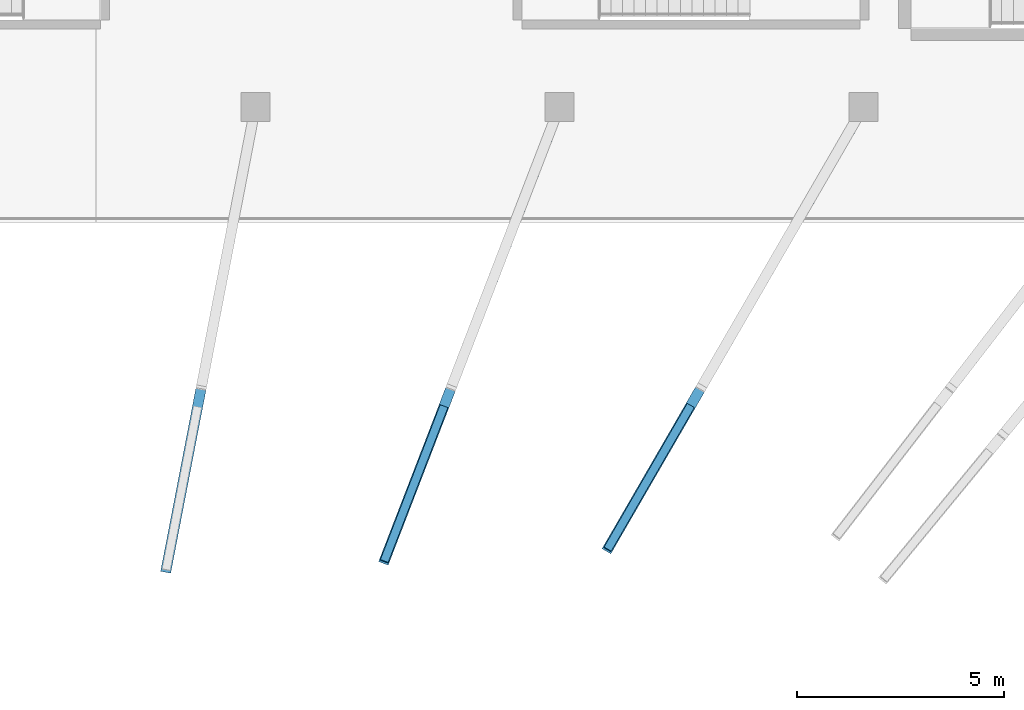
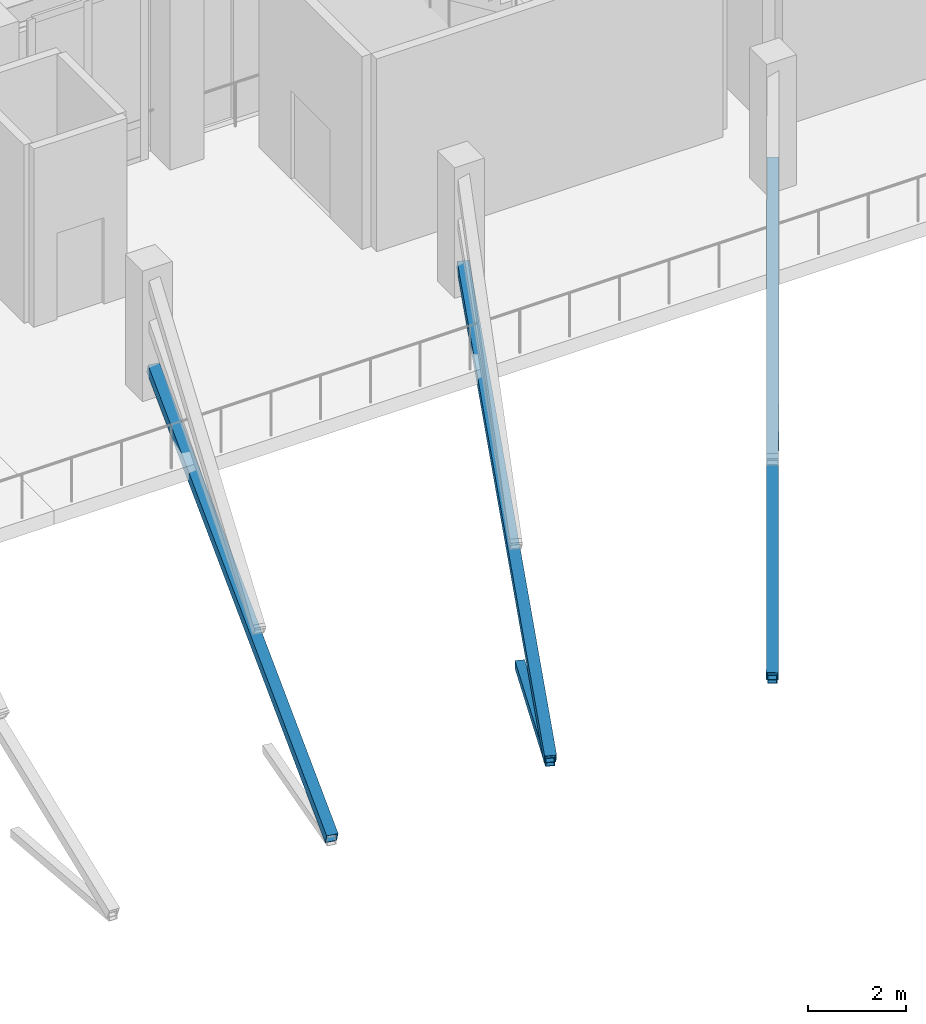
# One storey, part 27 of 79: 5 members.
"""IFC4 building model written with IfcOpenShell, lengths in metres."""

import ifcopenshell
import ifcopenshell.guid

model = None  # the IFC model being written
_history = None  # IfcOwnerHistory: only IFC2X3 demands one
_inside = {}  # id of a spatial element -> (the spatial element, [elements in it])
_under = {}  # id of a project, library or spatial element -> (it, [spatial elements below it])
_declared = {}  # id of a project -> (the project, [libraries it declares])
_typed = {}  # id of a type object -> (the type object, [elements of that type])
_made_of = {}  # id of a material, layer set ... -> (it, [elements and type objects made of it])


def new_model(schema):
    """Start an empty IFC model of exactly this schema.

    Asked for "IFC4X3", IfcOpenShell would pick the latest addendum, in which some entities
    have other attributes; the version numbers below select the first issue.
    IFC2X3 requires an IfcOwnerHistory on every rooted entity: one is made here for all.
    """
    global model, _history
    if schema == "IFC4X3":
        model = ifcopenshell.file(schema_version=(4, 3, 0, 0))
    else:
        model = ifcopenshell.file(schema=schema)
    _inside.clear()
    _under.clear()
    _declared.clear()
    _typed.clear()
    _made_of.clear()
    _history = None
    if model.schema == "IFC2X3":
        org = make("IfcOrganization", Name="unknown")
        user = make(
            "IfcPersonAndOrganization",
            ThePerson=make("IfcPerson", FamilyName="unknown"),
            TheOrganization=org,
        )
        app = make(
            "IfcApplication",
            ApplicationDeveloper=org,
            Version="unknown",
            ApplicationFullName="unknown",
            ApplicationIdentifier="unknown",
        )
        _history = make(
            "IfcOwnerHistory",
            OwningUser=user,
            OwningApplication=app,
            ChangeAction="ADDED",
            CreationDate=0,
        )
    return model


def make(cls, **values):
    """One entity of the class cls with the attributes given. An attribute that is None is left unset."""
    return model.create_entity(
        cls, **{name: value for name, value in values.items() if value is not None}
    )


def rooted(cls, **values):
    """An entity with a GlobalId (a new one), such as an element, a storey or a relation."""
    return make(cls, GlobalId=ifcopenshell.guid.new(), OwnerHistory=_history, **values)


def si_unit(unit_type, name, prefix=None):
    """IfcSIUnit, for example si_unit("LENGTHUNIT", "METRE", prefix="MILLI")."""
    return make("IfcSIUnit", UnitType=unit_type, Prefix=prefix, Name=name)


def derived_unit(unit_type, elements):
    """IfcDerivedUnit: a product of units, each with its exponent."""
    return make(
        "IfcDerivedUnit",
        Elements=[
            make("IfcDerivedUnitElement", Unit=unit, Exponent=power)
            for unit, power in elements
        ],
        UnitType=unit_type,
    )


def assignment(units):
    """IfcUnitAssignment: the units of a project."""
    return None if units is None else make("IfcUnitAssignment", Units=units)


def point(xyz):
    """IfcCartesianPoint."""
    return None if xyz is None else make("IfcCartesianPoint", Coordinates=xyz)


def direction(xyz):
    """IfcDirection."""
    return None if xyz is None else make("IfcDirection", DirectionRatios=xyz)


def frame(location, z_axis=None, x_axis=None):
    """IfcAxis2Placement3D, a coordinate frame: its origin and axes. An axis left out is left unset."""
    return make(
        "IfcAxis2Placement3D",
        Location=point(location),
        Axis=direction(z_axis),
        RefDirection=direction(x_axis),
    )


def frame_2d(location, x_axis=None):
    """IfcAxis2Placement2D, a coordinate frame in the plane: its origin and x axis."""
    return make(
        "IfcAxis2Placement2D", Location=point(location), RefDirection=direction(x_axis)
    )


def origin():
    """The frame at (0, 0, 0) with its axes left unset."""
    return frame((0.0, 0.0, 0.0))


def origin_2d():
    """The frame at (0, 0) in the plane with its x axis left unset."""
    return frame_2d((0.0, 0.0))


def place(relative_to, where):
    """IfcLocalPlacement: puts the frame where relative to a parent placement (None: the world)."""
    return make(
        "IfcLocalPlacement", PlacementRelTo=relative_to, RelativePlacement=where
    )


def context(
    kind, dimensions, precision=None, world=None, true_north=None, identifier=None
):
    """IfcGeometricRepresentationContext, for example the 3D "Model" context."""
    return make(
        "IfcGeometricRepresentationContext",
        ContextIdentifier=identifier,
        ContextType=kind,
        CoordinateSpaceDimension=dimensions,
        Precision=precision,
        WorldCoordinateSystem=world,
        TrueNorth=true_north,
    )


def subcontext(parent, identifier, kind, view, scale=None):
    """IfcGeometricRepresentationSubContext, for example "Body" below "Model"."""
    return make(
        "IfcGeometricRepresentationSubContext",
        ContextIdentifier=identifier,
        ContextType=kind,
        ParentContext=parent,
        TargetScale=scale,
        TargetView=view,
    )


def project(units=None, contexts=None):
    """IfcProject with its units and contexts."""
    return rooted(
        "IfcProject",
        Name="project",
        RepresentationContexts=contexts,
        UnitsInContext=assignment(units),
    )


def spatial(cls, under=None, at=None, **own):
    """A site, building, storey or space (cls), placed at a placement, below another one or the project."""
    s = rooted(cls, ObjectPlacement=at, **own)
    if under is not None:
        _under.setdefault(under.id(), (under, []))[1].append(s)
    return s


def profile(cls, at=None, kind="AREA", **sizes):
    """A parametric profile (cls). Its sizes go by their IFC names, for example OverallWidth=200.0."""
    return make(cls, ProfileType=kind, Position=at, **sizes)


def hollow_rectangle(**sizes):
    """IfcRectangleHollowProfileDef."""
    return profile("IfcRectangleHollowProfileDef", **sizes)


def extrude(swept, where, along, depth):
    """IfcExtrudedAreaSolid: the profile swept, set in the frame where, extruded along a direction by depth."""
    return make(
        "IfcExtrudedAreaSolid",
        SweptArea=swept,
        Position=where,
        ExtrudedDirection=direction(along),
        Depth=depth,
    )


def shape(context_of_items, identifier, shape_type, items):
    """IfcShapeRepresentation: the items that make up one representation, for example the "Body"."""
    return make(
        "IfcShapeRepresentation",
        ContextOfItems=context_of_items,
        RepresentationIdentifier=identifier,
        RepresentationType=shape_type,
        Items=items,
    )


def material(Name=None, Category=None):
    """IfcMaterial."""
    return make("IfcMaterial", Name=Name, Category=Category)


def material_profile(
    of_material, cross_section, Name=None, Category=None, Priority=None
):
    """IfcMaterialProfile: a cross section and its material."""
    return make(
        "IfcMaterialProfile",
        Name=Name,
        Material=of_material,
        Profile=cross_section,
        Priority=Priority,
        Category=Category,
    )


def profile_set(profiles, Name=None, composite=None):
    """IfcMaterialProfileSet."""
    return make(
        "IfcMaterialProfileSet",
        Name=Name,
        MaterialProfiles=profiles,
        CompositeProfile=composite,
    )


def made_of(thing, what):
    """Note that an element or type object is made of a material, layer set ...; save() writes the relation."""
    if what is not None:
        _made_of.setdefault(what.id(), (what, []))[1].append(thing)
    return thing


def type_object(cls, material=None, **own):
    """A type object (cls), such as IfcWallType, which elements share."""
    return made_of(rooted(cls, **own), material)


def element(
    cls,
    number,
    at=None,
    inside=None,
    cuts=None,
    type_object=None,
    material=None,
    context=None,
    identifier="Body",
    shape_type=None,
    held_by="IfcProductDefinitionShape",
    body=None,
    shapes=None,
    **own,
):
    """One element of the class cls, such as IfcWall. Its Tag is "e" and its number.

    at: its placement. inside: the storey or other place that contains it. cuts: it is an
    opening in that element (IfcRelVoidsElement). A single representation is given by context,
    identifier, shape_type and body (its items); several are given by shapes. held_by: the class
    of the entity that holds the representations. save() writes the other relations.
    """
    e = rooted(cls, Tag="e%d" % number, ObjectPlacement=at, **own)
    if body is not None:
        shapes = [shape(context, identifier, shape_type, body)]
    if shapes is not None:
        e.Representation = make(held_by, Representations=shapes)
    if inside is not None:
        _inside.setdefault(inside.id(), (inside, []))[1].append(e)
    if cuts is not None:
        rooted(
            "IfcRelVoidsElement", RelatingBuildingElement=cuts, RelatedOpeningElement=e
        )
    if type_object is not None:
        _typed.setdefault(type_object.id(), (type_object, []))[1].append(e)
    return made_of(e, material)


def aggregate(whole, parts):
    """IfcRelAggregates: a whole, such as a stair, and the parts it consists of."""
    return rooted("IfcRelAggregates", RelatingObject=whole, RelatedObjects=parts)


def save(model, path):
    """Write the relations noted so far, then the file.

    IfcRelAggregates (storeys below a building ...), IfcRelContainedInSpatialStructure (elements
    in a storey), IfcRelDefinesByType, IfcRelAssociatesMaterial and IfcRelDeclares: one each for
    every whole, place, type object, material and project.
    """
    for whole, parts in _under.values():
        aggregate(whole, parts)
    for where, things in _inside.values():
        rooted(
            "IfcRelContainedInSpatialStructure",
            RelatedElements=things,
            RelatingStructure=where,
        )
    for kind, things in _typed.values():
        rooted("IfcRelDefinesByType", RelatedObjects=things, RelatingType=kind)
    for what, things in _made_of.values():
        rooted("IfcRelAssociatesMaterial", RelatedObjects=things, RelatingMaterial=what)
    for by, libraries in _declared.values():
        rooted("IfcRelDeclares", RelatingContext=by, RelatedDefinitions=libraries)
    model.write(path)


model = new_model("IFC4")

# Units and contexts
model_context = context("Model", 3, precision=1e-05, world=origin(), true_north=direction((0.0, 1.0)))
body_context = subcontext(model_context, "Body", "Model", "MODEL_VIEW")
ifc_project = project(units=[si_unit("LENGTHUNIT", "METRE"), si_unit("AREAUNIT", "SQUARE_METRE"), si_unit("VOLUMEUNIT", "CUBIC_METRE"), si_unit("PLANEANGLEUNIT", "RADIAN"), si_unit("MASSUNIT", "GRAM", prefix="KILO"), derived_unit("THERMALTRANSMITTANCEUNIT", [(si_unit("MASSUNIT", "GRAM", prefix="KILO"), 1), (si_unit("TIMEUNIT", "SECOND"), -3), (si_unit("THERMODYNAMICTEMPERATUREUNIT", "KELVIN"), -1)])], contexts=[model_context])

# Site, building, storey
site_placement = place(None, origin())
site = spatial("IfcSite", under=ifc_project, at=site_placement, CompositionType="ELEMENT")
building_placement = place(site_placement, origin())
building = spatial("IfcBuilding", under=site, at=building_placement, Name="Valcora Ridge Arena", CompositionType="ELEMENT")
storey_placement = place(building_placement, frame((0.0, 0.0, 16.199951171875)))
storey = spatial("IfcBuildingStorey", under=building, at=storey_placement, Name="L03", CompositionType="ELEMENT", Elevation=16.199951171875)

# Members
ifc_material = material(Name="Steel ASTM A500 Grade C", Category="steel")
ifc_material_profile_1 = material_profile(ifc_material, hollow_rectangle(XDim=0.25, YDim=0.25, WallThickness=0.012451171875, at=origin_2d()), Name="HSS250X250X12")
ifc_profile_set_1 = profile_set([ifc_material_profile_1], Name="Steel ASTM A500 Grade C")
member_type_1 = type_object("IfcMemberType", Name="TY-MEMBER-RKRUC-250", PredefinedType="CHORD", material=ifc_profile_set_1)
member_1_placement = place(storey_placement, frame((73.856201171875, 90.19482421875, -3.658935546875), z_axis=(0.47111918103, 0.814260155211, 0.33915647849), x_axis=(-0.865562040248, 0.500801711741, 0.0)))
element("IfcMember", 1, at=member_1_placement, inside=storey, type_object=member_type_1, Name="RKRUC-250 MBR-RK-RKRUC-250-0013", PredefinedType="CHORD", context=body_context, shape_type="SweptSolid", body=[
    extrude(hollow_rectangle(XDim=0.25, YDim=0.25, WallThickness=0.012451171875, at=origin_2d()), origin(), (0.0, 0.0, 1.0), 12.8671875),
])
member_2_placement = place(storey_placement, frame((68.459228515625, 89.9052734375, -3.65625), z_axis=(0.336605566233, 0.87268917204, 0.353709346477), x_axis=(-0.933002776329, 0.359869169786, 0.0)))
element("IfcMember", 2, at=member_2_placement, inside=storey, type_object=member_type_1, Name="RKRUC-250 MBR-RK-RKRUC-250-0014", PredefinedType="CHORD", context=body_context, shape_type="SweptSolid", body=[
    extrude(hollow_rectangle(XDim=0.25, YDim=0.25, WallThickness=0.012451171875, at=origin_2d()), origin(), (0.0, 0.0, 1.0), 12.318603515625),
])
member_3_placement = place(storey_placement, frame((63.189208984375, 89.695068359375, -3.654541015625), z_axis=(0.176386064214, 0.914686567502, 0.363643286179), x_axis=(-0.981909805174, 0.189349239512, 0.0)))
element("IfcMember", 3, at=member_3_placement, inside=storey, type_object=member_type_1, Name="RKRUC-250 MBR-RK-RKRUC-250-0015", PredefinedType="CHORD", context=body_context, shape_type="SweptSolid", body=[
    extrude(hollow_rectangle(XDim=0.25, YDim=0.25, WallThickness=0.012451171875, at=origin_2d()), origin(), (0.0, 0.0, 1.0), 11.969970703125),
])
ifc_material_profile_2 = material_profile(ifc_material, hollow_rectangle(XDim=0.199951171875, YDim=0.199951171875, WallThickness=0.012451171875, at=origin_2d()), Name="HSS200X200X12")
ifc_profile_set_2 = profile_set([ifc_material_profile_2], Name="Steel ASTM A500 Grade C")
member_type_2 = type_object("IfcMemberType", Name="TY-MEMBER-RKRUW-200", PredefinedType="STRUT", material=ifc_profile_set_2)
for number, where, z_axis, x_axis, name in (
    (4, (73.861328125, 90.203369140625, -3.7353515625), (0.498976063093, 0.862430009159, -0.085072720442), (-0.865567913668, 0.50079156026, 0.0), "RKRUW-200 Raker Web Strut"),
    (5, (68.463134765625, 89.915283203125, -3.7353515625), (0.35854704667, 0.929627054372, -0.085073821491), (-0.933009539695, 0.35985163448, 0.0), "RKRUW-200 Raker Web Strut"),
):
    element("IfcMember", number, at=place(storey_placement, frame(where, z_axis=z_axis, x_axis=x_axis)), inside=storey, type_object=member_type_2, Name=name, PredefinedType="STRUT", context=body_context, shape_type="SweptSolid", body=[
        extrude(hollow_rectangle(XDim=0.199951171875, YDim=0.199951171875, WallThickness=0.012451171875, at=origin_2d()), origin(), (0.0, 0.0, 1.0), 4.0263671875),
    ])

save(model, "model.ifc")
